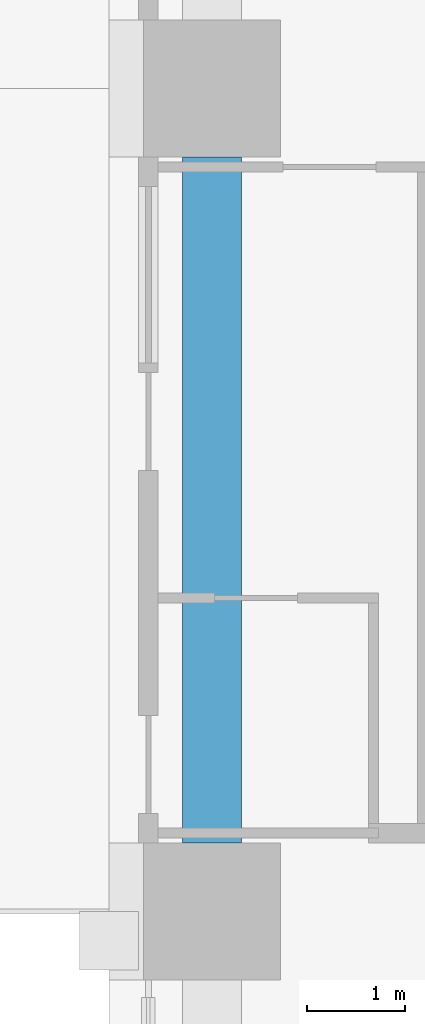
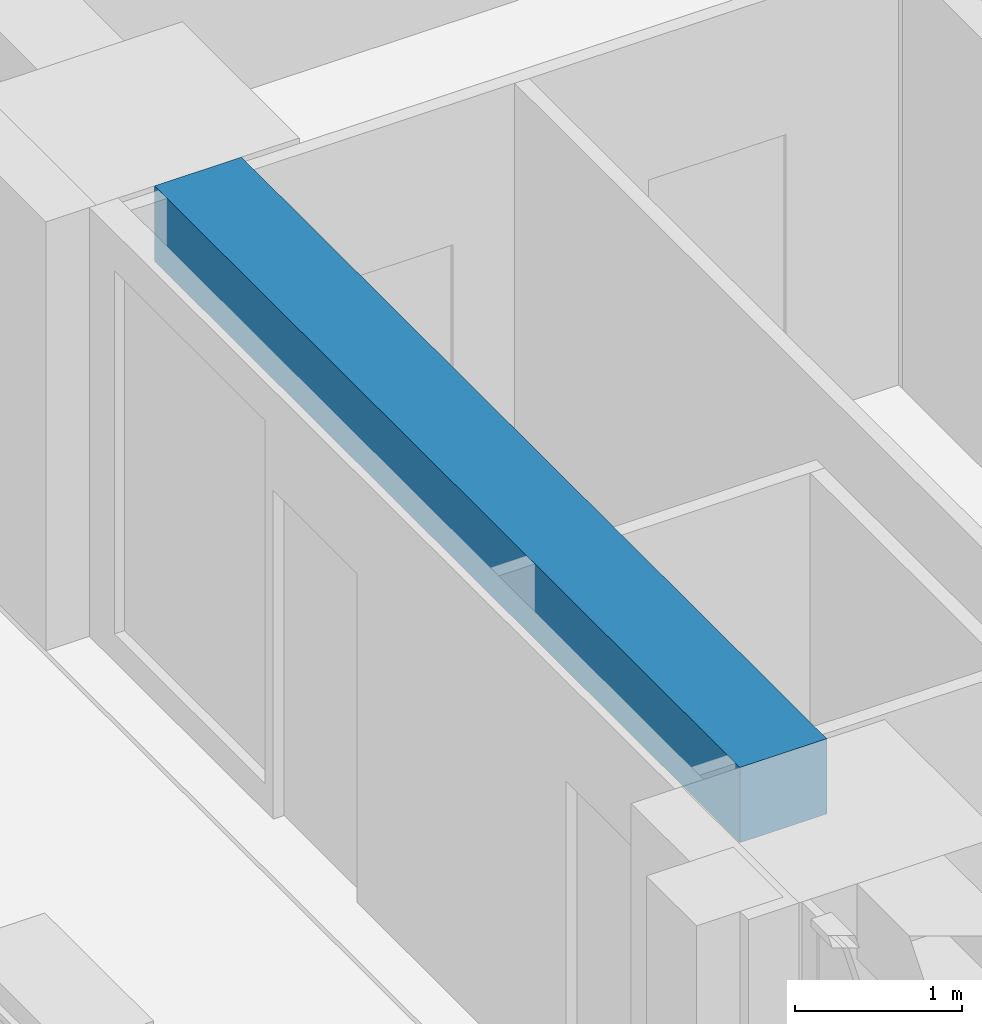
# One storey, part 3 of 18: 1 beam.
"""IFC4 building model written with IfcOpenShell, lengths in metres."""

import ifcopenshell
import ifcopenshell.guid

model = None  # the IFC model being written
_history = None  # IfcOwnerHistory: only IFC2X3 demands one
_inside = {}  # id of a spatial element -> (the spatial element, [elements in it])
_under = {}  # id of a project, library or spatial element -> (it, [spatial elements below it])
_declared = {}  # id of a project -> (the project, [libraries it declares])
_typed = {}  # id of a type object -> (the type object, [elements of that type])
_made_of = {}  # id of a material, layer set ... -> (it, [elements and type objects made of it])


def new_model(schema):
    """Start an empty IFC model of exactly this schema.

    Asked for "IFC4X3", IfcOpenShell would pick the latest addendum, in which some entities
    have other attributes; the version numbers below select the first issue.
    IFC2X3 requires an IfcOwnerHistory on every rooted entity: one is made here for all.
    """
    global model, _history
    if schema == "IFC4X3":
        model = ifcopenshell.file(schema_version=(4, 3, 0, 0))
    else:
        model = ifcopenshell.file(schema=schema)
    _inside.clear()
    _under.clear()
    _declared.clear()
    _typed.clear()
    _made_of.clear()
    _history = None
    if model.schema == "IFC2X3":
        org = make("IfcOrganization", Name="unknown")
        user = make(
            "IfcPersonAndOrganization",
            ThePerson=make("IfcPerson", FamilyName="unknown"),
            TheOrganization=org,
        )
        app = make(
            "IfcApplication",
            ApplicationDeveloper=org,
            Version="unknown",
            ApplicationFullName="unknown",
            ApplicationIdentifier="unknown",
        )
        _history = make(
            "IfcOwnerHistory",
            OwningUser=user,
            OwningApplication=app,
            ChangeAction="ADDED",
            CreationDate=0,
        )
    return model


def make(cls, **values):
    """One entity of the class cls with the attributes given. An attribute that is None is left unset."""
    return model.create_entity(
        cls, **{name: value for name, value in values.items() if value is not None}
    )


def rooted(cls, **values):
    """An entity with a GlobalId (a new one), such as an element, a storey or a relation."""
    return make(cls, GlobalId=ifcopenshell.guid.new(), OwnerHistory=_history, **values)


def si_unit(unit_type, name, prefix=None):
    """IfcSIUnit, for example si_unit("LENGTHUNIT", "METRE", prefix="MILLI")."""
    return make("IfcSIUnit", UnitType=unit_type, Prefix=prefix, Name=name)


def assignment(units):
    """IfcUnitAssignment: the units of a project."""
    return None if units is None else make("IfcUnitAssignment", Units=units)


def point(xyz):
    """IfcCartesianPoint."""
    return None if xyz is None else make("IfcCartesianPoint", Coordinates=xyz)


def direction(xyz):
    """IfcDirection."""
    return None if xyz is None else make("IfcDirection", DirectionRatios=xyz)


def frame(location, z_axis=None, x_axis=None):
    """IfcAxis2Placement3D, a coordinate frame: its origin and axes. An axis left out is left unset."""
    return make(
        "IfcAxis2Placement3D",
        Location=point(location),
        Axis=direction(z_axis),
        RefDirection=direction(x_axis),
    )


def frame_2d(location, x_axis=None):
    """IfcAxis2Placement2D, a coordinate frame in the plane: its origin and x axis."""
    return make(
        "IfcAxis2Placement2D", Location=point(location), RefDirection=direction(x_axis)
    )


def origin():
    """The frame at (0, 0, 0) with its axes left unset."""
    return frame((0.0, 0.0, 0.0))


def origin_2d():
    """The frame at (0, 0) in the plane with its x axis left unset."""
    return frame_2d((0.0, 0.0))


def place(relative_to, where):
    """IfcLocalPlacement: puts the frame where relative to a parent placement (None: the world)."""
    return make(
        "IfcLocalPlacement", PlacementRelTo=relative_to, RelativePlacement=where
    )


def context(
    kind, dimensions, precision=None, world=None, true_north=None, identifier=None
):
    """IfcGeometricRepresentationContext, for example the 3D "Model" context."""
    return make(
        "IfcGeometricRepresentationContext",
        ContextIdentifier=identifier,
        ContextType=kind,
        CoordinateSpaceDimension=dimensions,
        Precision=precision,
        WorldCoordinateSystem=world,
        TrueNorth=true_north,
    )


def subcontext(parent, identifier, kind, view, scale=None):
    """IfcGeometricRepresentationSubContext, for example "Body" below "Model"."""
    return make(
        "IfcGeometricRepresentationSubContext",
        ContextIdentifier=identifier,
        ContextType=kind,
        ParentContext=parent,
        TargetScale=scale,
        TargetView=view,
    )


def project(units=None, contexts=None):
    """IfcProject with its units and contexts."""
    return rooted(
        "IfcProject",
        Name="project",
        RepresentationContexts=contexts,
        UnitsInContext=assignment(units),
    )


def spatial(cls, under=None, at=None, **own):
    """A site, building, storey or space (cls), placed at a placement, below another one or the project."""
    s = rooted(cls, ObjectPlacement=at, **own)
    if under is not None:
        _under.setdefault(under.id(), (under, []))[1].append(s)
    return s


def profile(cls, at=None, kind="AREA", **sizes):
    """A parametric profile (cls). Its sizes go by their IFC names, for example OverallWidth=200.0."""
    return make(cls, ProfileType=kind, Position=at, **sizes)


def rectangle(**sizes):
    """IfcRectangleProfileDef."""
    return profile("IfcRectangleProfileDef", **sizes)


def extrude(swept, where, along, depth):
    """IfcExtrudedAreaSolid: the profile swept, set in the frame where, extruded along a direction by depth."""
    return make(
        "IfcExtrudedAreaSolid",
        SweptArea=swept,
        Position=where,
        ExtrudedDirection=direction(along),
        Depth=depth,
    )


def shape(context_of_items, identifier, shape_type, items):
    """IfcShapeRepresentation: the items that make up one representation, for example the "Body"."""
    return make(
        "IfcShapeRepresentation",
        ContextOfItems=context_of_items,
        RepresentationIdentifier=identifier,
        RepresentationType=shape_type,
        Items=items,
    )


def material(Name=None, Category=None):
    """IfcMaterial."""
    return make("IfcMaterial", Name=Name, Category=Category)


def material_profile(
    of_material, cross_section, Name=None, Category=None, Priority=None
):
    """IfcMaterialProfile: a cross section and its material."""
    return make(
        "IfcMaterialProfile",
        Name=Name,
        Material=of_material,
        Profile=cross_section,
        Priority=Priority,
        Category=Category,
    )


def profile_set(profiles, Name=None, composite=None):
    """IfcMaterialProfileSet."""
    return make(
        "IfcMaterialProfileSet",
        Name=Name,
        MaterialProfiles=profiles,
        CompositeProfile=composite,
    )


def made_of(thing, what):
    """Note that an element or type object is made of a material, layer set ...; save() writes the relation."""
    if what is not None:
        _made_of.setdefault(what.id(), (what, []))[1].append(thing)
    return thing


def type_object(cls, material=None, **own):
    """A type object (cls), such as IfcWallType, which elements share."""
    return made_of(rooted(cls, **own), material)


def element(
    cls,
    number,
    at=None,
    inside=None,
    cuts=None,
    type_object=None,
    material=None,
    context=None,
    identifier="Body",
    shape_type=None,
    held_by="IfcProductDefinitionShape",
    body=None,
    shapes=None,
    **own,
):
    """One element of the class cls, such as IfcWall. Its Tag is "e" and its number.

    at: its placement. inside: the storey or other place that contains it. cuts: it is an
    opening in that element (IfcRelVoidsElement). A single representation is given by context,
    identifier, shape_type and body (its items); several are given by shapes. held_by: the class
    of the entity that holds the representations. save() writes the other relations.
    """
    e = rooted(cls, Tag="e%d" % number, ObjectPlacement=at, **own)
    if body is not None:
        shapes = [shape(context, identifier, shape_type, body)]
    if shapes is not None:
        e.Representation = make(held_by, Representations=shapes)
    if inside is not None:
        _inside.setdefault(inside.id(), (inside, []))[1].append(e)
    if cuts is not None:
        rooted(
            "IfcRelVoidsElement", RelatingBuildingElement=cuts, RelatedOpeningElement=e
        )
    if type_object is not None:
        _typed.setdefault(type_object.id(), (type_object, []))[1].append(e)
    return made_of(e, material)


def aggregate(whole, parts):
    """IfcRelAggregates: a whole, such as a stair, and the parts it consists of."""
    return rooted("IfcRelAggregates", RelatingObject=whole, RelatedObjects=parts)


def save(model, path):
    """Write the relations noted so far, then the file.

    IfcRelAggregates (storeys below a building ...), IfcRelContainedInSpatialStructure (elements
    in a storey), IfcRelDefinesByType, IfcRelAssociatesMaterial and IfcRelDeclares: one each for
    every whole, place, type object, material and project.
    """
    for whole, parts in _under.values():
        aggregate(whole, parts)
    for where, things in _inside.values():
        rooted(
            "IfcRelContainedInSpatialStructure",
            RelatedElements=things,
            RelatingStructure=where,
        )
    for kind, things in _typed.values():
        rooted("IfcRelDefinesByType", RelatedObjects=things, RelatingType=kind)
    for what, things in _made_of.values():
        rooted("IfcRelAssociatesMaterial", RelatedObjects=things, RelatingMaterial=what)
    for by, libraries in _declared.values():
        rooted("IfcRelDeclares", RelatingContext=by, RelatedDefinitions=libraries)
    model.write(path)


model = new_model("IFC4")

# Units and contexts
model_context = context("Model", 3, precision=1e-05, world=origin(), true_north=direction((0.0, 1.0)))
body_context = subcontext(model_context, "Body", "Model", "MODEL_VIEW")
ifc_project = project(units=[si_unit("LENGTHUNIT", "METRE"), si_unit("AREAUNIT", "SQUARE_METRE"), si_unit("VOLUMEUNIT", "CUBIC_METRE"), si_unit("PLANEANGLEUNIT", "RADIAN"), si_unit("MASSUNIT", "GRAM", prefix="KILO")], contexts=[model_context])

# Site, building, storey
site_placement = place(None, origin())
site = spatial("IfcSite", under=ifc_project, at=site_placement, CompositionType="ELEMENT")
building_placement = place(site_placement, origin())
building = spatial("IfcBuilding", under=site, at=building_placement, Name="Vermilion Ogive Tower", CompositionType="ELEMENT")
storey_placement = place(building_placement, frame((0.0, 0.0, 55.199951171875)))
storey = spatial("IfcBuildingStorey", under=building, at=storey_placement, Name="L12", CompositionType="ELEMENT", Elevation=55.199951171875)

# Beam
ifc_material = material(Name="Concrete B45", Category="concrete")
ifc_material_profile = material_profile(ifc_material, rectangle(XDim=0.60009765625, YDim=0.550048828125, at=origin_2d()), Name="600 x 550")
ifc_profile_set = profile_set([ifc_material_profile], Name="Concrete B45")
beam_type = type_object("IfcBeamType", Name="Edge beam 600 x 550 B45", PredefinedType="BEAM", material=ifc_profile_set)
beam_placement = place(storey_placement, frame((-25.199951171875, 3.5, 2.85498046875), z_axis=(0.0, -1.0, 0.0), x_axis=(1.0, 0.0, 0.0)))
element("IfcBeam", 1, at=beam_placement, inside=storey, type_object=beam_type, Name="L12-EB-15", PredefinedType="BEAM", context=body_context, shape_type="SweptSolid", body=[
    extrude(rectangle(XDim=0.60009765625, YDim=0.550048828125, at=origin_2d()), origin(), (0.0, 0.0, 1.0), 7.0),
])

save(model, "model.ifc")
